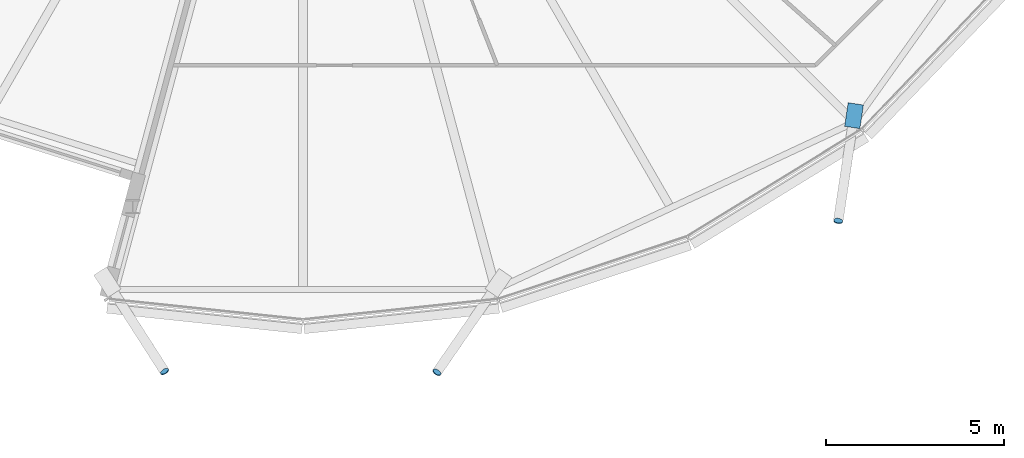
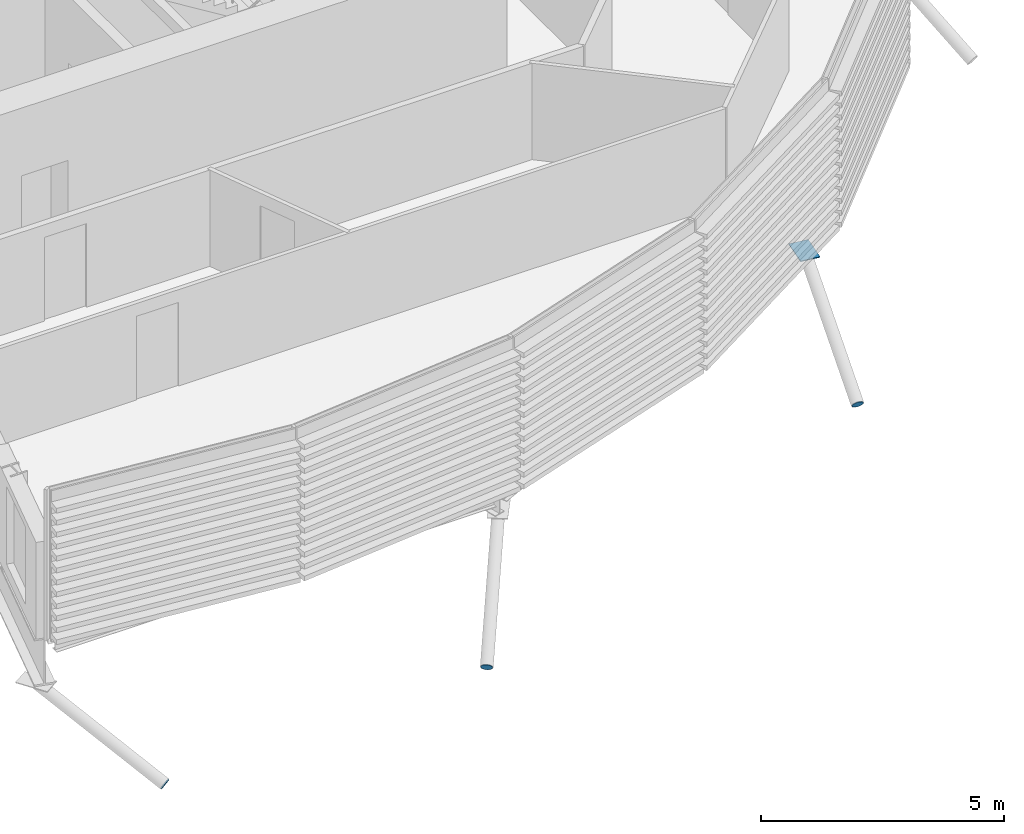
# One storey, part 27 of 39: 4 discrete accessories.
"""IFC4 building model written with IfcOpenShell, lengths in metres."""

from ifc_helpers import new_model, si_unit, direction, frame, origin, origin_2d, place, context, subcontext, project, spatial, polyline, rectangle, circle, outline, extrude, material, material_profile, profile_set, type_object, element, save


model = new_model("IFC4")

# Units and contexts
model_context = context("Model", 3, precision=1e-05, world=origin(), true_north=direction((0.0, 1.0)))
body_context = subcontext(model_context, "Body", "Model", "MODEL_VIEW")
ifc_project = project(units=[si_unit("LENGTHUNIT", "METRE"), si_unit("AREAUNIT", "SQUARE_METRE"), si_unit("VOLUMEUNIT", "CUBIC_METRE"), si_unit("PLANEANGLEUNIT", "RADIAN"), si_unit("MASSUNIT", "GRAM", prefix="KILO")], contexts=[model_context])

# Site, building, storey
site_placement = place(None, origin())
site = spatial("IfcSite", under=ifc_project, at=site_placement, CompositionType="ELEMENT")
building_placement = place(site_placement, origin())
building = spatial("IfcBuilding", under=site, at=building_placement, Name="Rimbun Link Towers", CompositionType="ELEMENT")
storey_placement = place(building_placement, frame((0.0, 0.0, 100.60009765625)))
storey = spatial("IfcBuildingStorey", under=building, at=storey_placement, Name="L24", CompositionType="ELEMENT", Elevation=100.60009765625)

# Discrete accessories
ifc_material_1 = material(Name="Steel S355J2H", Category="steel")
ifc_material_profile_1 = material_profile(ifc_material_1, circle(Radius=0.1240234375, at=origin_2d()), Name="PL D248")
ifc_profile_set_1 = profile_set([ifc_material_profile_1], Name="Steel S355J2H")
discrete_accessory_type_1 = type_object("IfcDiscreteAccessoryType", Name="Link foot sealing plate D248X20", PredefinedType="BRACKET", material=ifc_profile_set_1)
for number, where, z_axis, x_axis, name in (
    (1, (-35.637939453125, -22.45068359375, -2.966796875), (0.478536612991, -0.736210173832, -0.478536612991), (0.838443616301, 0.544988350595, 0.0), "Link foot sealing plate T1 L24 17"),
    (2, (-27.9921875, -22.472900390625, -2.68798828125), (-0.491881773208, -0.700931526822, -0.516475861869), (0.818556692462, -0.574425749096, 0.0), "Link foot sealing plate T1 L24 19"),
):
    element("IfcDiscreteAccessory", number, at=place(storey_placement, frame(where, z_axis=z_axis, x_axis=x_axis)), inside=storey, type_object=discrete_accessory_type_1, Name=name, PredefinedType="BRACKET", context=body_context, shape_type="SweptSolid", body=[
        extrude(circle(Radius=0.1240234375, at=origin_2d()), origin(), (0.0, 0.0, 1.0), 0.019775390625),
    ])
discrete_accessory_1_placement = place(storey_placement, frame((-16.739501953125, -18.226806640625, -2.604248046875), z_axis=(-0.134577342886, -0.831932665116, -0.538309371546), x_axis=(0.987167398737, -0.159688843913, 0.0)))
element("IfcDiscreteAccessory", 3, at=discrete_accessory_1_placement, inside=storey, type_object=discrete_accessory_type_1, Name="Link foot sealing plate T1 L24 21", PredefinedType="BRACKET", context=body_context, shape_type="SweptSolid", body=[
    extrude(circle(Radius=0.1240234375, at=origin_2d()), origin(), (0.0, 0.0, 1.0), 0.02001953125),
])
ifc_material_2 = material(Name="Steel S355J2H", Category="steel")
ifc_material_profile_2 = material_profile(ifc_material_2, rectangle(XDim=0.43310546875, YDim=0.43310546875, at=origin_2d()), Name="PL 433x433")
ifc_profile_set_2 = profile_set([ifc_material_profile_2], Name="Steel S355J2H")
discrete_accessory_type_2 = type_object("IfcDiscreteAccessoryType", Name="Link head end plate 433X20", PredefinedType="BRACKET", material=ifc_profile_set_2)
discrete_accessory_2_placement = place(storey_placement, frame((0.0, 0.0, -0.713134765625)))
element("IfcDiscreteAccessory", 4, at=discrete_accessory_2_placement, inside=storey, type_object=discrete_accessory_type_2, Name="Link head end plate T1 L24 21", PredefinedType="BRACKET", context=body_context, shape_type="SweptSolid", body=[
    extrude(outline(polyline([(-16.461669921875, -14.9189453125), (-16.56103515625, -15.580810546875), (-16.1328125, -15.64501953125), (-16.033447265625, -14.9833984375), (-16.461669921875, -14.9189453125)])), origin(), (0.0, 0.0, 1.0), 0.02001953125),
])

save(model, "model.ifc")
